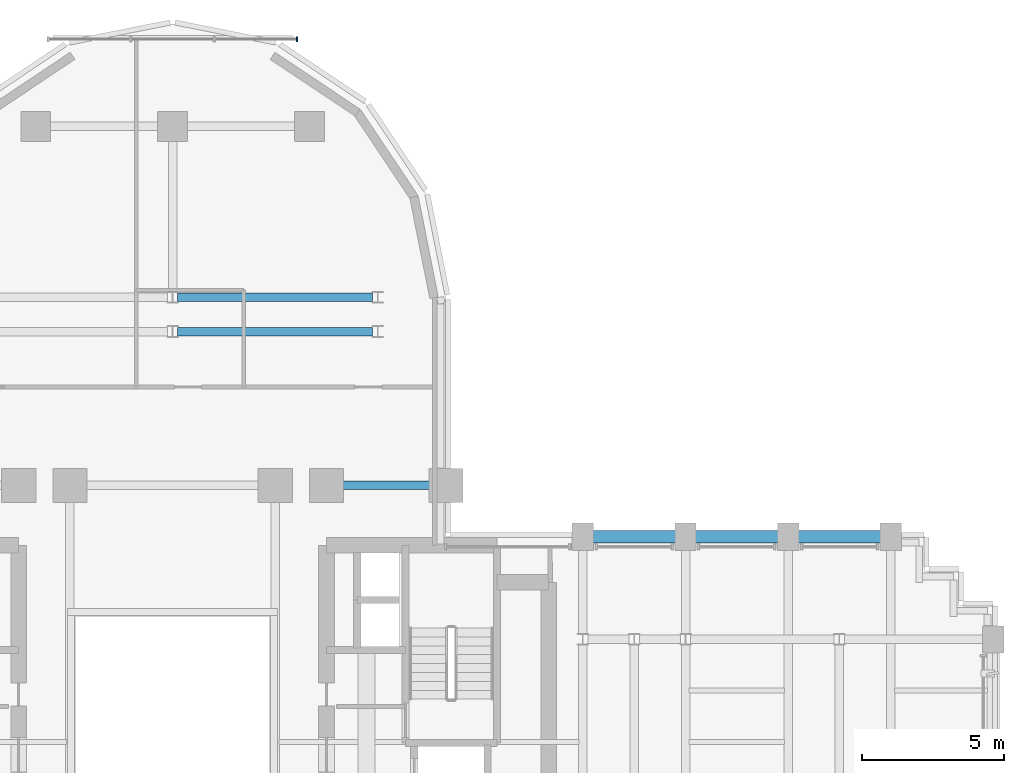
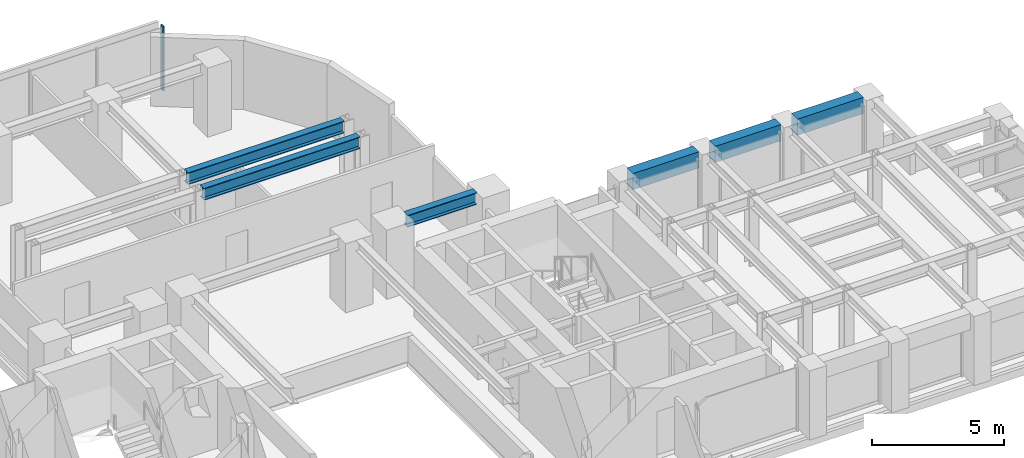
# One storey, part 8 of 16: 6 beams, 1 member, 1 element without a shape of its own.
"""IFC4 building model written with IfcOpenShell, lengths in metres."""

import ifcopenshell
import ifcopenshell.guid

model = None  # the IFC model being written
_history = None  # IfcOwnerHistory: only IFC2X3 demands one
_inside = {}  # id of a spatial element -> (the spatial element, [elements in it])
_under = {}  # id of a project, library or spatial element -> (it, [spatial elements below it])
_declared = {}  # id of a project -> (the project, [libraries it declares])
_typed = {}  # id of a type object -> (the type object, [elements of that type])
_made_of = {}  # id of a material, layer set ... -> (it, [elements and type objects made of it])


def new_model(schema):
    """Start an empty IFC model of exactly this schema.

    Asked for "IFC4X3", IfcOpenShell would pick the latest addendum, in which some entities
    have other attributes; the version numbers below select the first issue.
    IFC2X3 requires an IfcOwnerHistory on every rooted entity: one is made here for all.
    """
    global model, _history
    if schema == "IFC4X3":
        model = ifcopenshell.file(schema_version=(4, 3, 0, 0))
    else:
        model = ifcopenshell.file(schema=schema)
    _inside.clear()
    _under.clear()
    _declared.clear()
    _typed.clear()
    _made_of.clear()
    _history = None
    if model.schema == "IFC2X3":
        org = make("IfcOrganization", Name="unknown")
        user = make(
            "IfcPersonAndOrganization",
            ThePerson=make("IfcPerson", FamilyName="unknown"),
            TheOrganization=org,
        )
        app = make(
            "IfcApplication",
            ApplicationDeveloper=org,
            Version="unknown",
            ApplicationFullName="unknown",
            ApplicationIdentifier="unknown",
        )
        _history = make(
            "IfcOwnerHistory",
            OwningUser=user,
            OwningApplication=app,
            ChangeAction="ADDED",
            CreationDate=0,
        )
    return model


def make(cls, **values):
    """One entity of the class cls with the attributes given. An attribute that is None is left unset."""
    return model.create_entity(
        cls, **{name: value for name, value in values.items() if value is not None}
    )


def rooted(cls, **values):
    """An entity with a GlobalId (a new one), such as an element, a storey or a relation."""
    return make(cls, GlobalId=ifcopenshell.guid.new(), OwnerHistory=_history, **values)


def si_unit(unit_type, name, prefix=None):
    """IfcSIUnit, for example si_unit("LENGTHUNIT", "METRE", prefix="MILLI")."""
    return make("IfcSIUnit", UnitType=unit_type, Prefix=prefix, Name=name)


def assignment(units):
    """IfcUnitAssignment: the units of a project."""
    return None if units is None else make("IfcUnitAssignment", Units=units)


def point(xyz):
    """IfcCartesianPoint."""
    return None if xyz is None else make("IfcCartesianPoint", Coordinates=xyz)


def direction(xyz):
    """IfcDirection."""
    return None if xyz is None else make("IfcDirection", DirectionRatios=xyz)


def frame(location, z_axis=None, x_axis=None):
    """IfcAxis2Placement3D, a coordinate frame: its origin and axes. An axis left out is left unset."""
    return make(
        "IfcAxis2Placement3D",
        Location=point(location),
        Axis=direction(z_axis),
        RefDirection=direction(x_axis),
    )


def frame_2d(location, x_axis=None):
    """IfcAxis2Placement2D, a coordinate frame in the plane: its origin and x axis."""
    return make(
        "IfcAxis2Placement2D", Location=point(location), RefDirection=direction(x_axis)
    )


def origin():
    """The frame at (0, 0, 0) with its axes left unset."""
    return frame((0.0, 0.0, 0.0))


def origin_2d():
    """The frame at (0, 0) in the plane with its x axis left unset."""
    return frame_2d((0.0, 0.0))


def place(relative_to, where):
    """IfcLocalPlacement: puts the frame where relative to a parent placement (None: the world)."""
    return make(
        "IfcLocalPlacement", PlacementRelTo=relative_to, RelativePlacement=where
    )


def context(
    kind, dimensions, precision=None, world=None, true_north=None, identifier=None
):
    """IfcGeometricRepresentationContext, for example the 3D "Model" context."""
    return make(
        "IfcGeometricRepresentationContext",
        ContextIdentifier=identifier,
        ContextType=kind,
        CoordinateSpaceDimension=dimensions,
        Precision=precision,
        WorldCoordinateSystem=world,
        TrueNorth=true_north,
    )


def subcontext(parent, identifier, kind, view, scale=None):
    """IfcGeometricRepresentationSubContext, for example "Body" below "Model"."""
    return make(
        "IfcGeometricRepresentationSubContext",
        ContextIdentifier=identifier,
        ContextType=kind,
        ParentContext=parent,
        TargetScale=scale,
        TargetView=view,
    )


def project(units=None, contexts=None):
    """IfcProject with its units and contexts."""
    return rooted(
        "IfcProject",
        Name="project",
        RepresentationContexts=contexts,
        UnitsInContext=assignment(units),
    )


def spatial(cls, under=None, at=None, **own):
    """A site, building, storey or space (cls), placed at a placement, below another one or the project."""
    s = rooted(cls, ObjectPlacement=at, **own)
    if under is not None:
        _under.setdefault(under.id(), (under, []))[1].append(s)
    return s


def profile(cls, at=None, kind="AREA", **sizes):
    """A parametric profile (cls). Its sizes go by their IFC names, for example OverallWidth=200.0."""
    return make(cls, ProfileType=kind, Position=at, **sizes)


def rectangle(**sizes):
    """IfcRectangleProfileDef."""
    return profile("IfcRectangleProfileDef", **sizes)


def i_section(**sizes):
    """IfcIShapeProfileDef."""
    return profile("IfcIShapeProfileDef", **sizes)


def extrude(swept, where, along, depth):
    """IfcExtrudedAreaSolid: the profile swept, set in the frame where, extruded along a direction by depth."""
    return make(
        "IfcExtrudedAreaSolid",
        SweptArea=swept,
        Position=where,
        ExtrudedDirection=direction(along),
        Depth=depth,
    )


def shape(context_of_items, identifier, shape_type, items):
    """IfcShapeRepresentation: the items that make up one representation, for example the "Body"."""
    return make(
        "IfcShapeRepresentation",
        ContextOfItems=context_of_items,
        RepresentationIdentifier=identifier,
        RepresentationType=shape_type,
        Items=items,
    )


def source(mapping_origin, context_of_items, identifier, shape_type, items):
    """IfcRepresentationMap: a shape defined once, which mapped items show again and again."""
    return make(
        "IfcRepresentationMap",
        MappingOrigin=mapping_origin,
        MappedRepresentation=shape(context_of_items, identifier, shape_type, items),
    )


def transform(
    local_origin,
    x_axis=None,
    y_axis=None,
    z_axis=None,
    scale=None,
    scale2=None,
    scale3=None,
    uniform=True,
):
    """IfcCartesianTransformationOperator3D, or its non-uniform kind. x_axis, y_axis, z_axis: its Axis1, 2, 3."""
    if uniform:
        return make(
            "IfcCartesianTransformationOperator3D",
            Axis1=direction(x_axis),
            Axis2=direction(y_axis),
            LocalOrigin=point(local_origin),
            Scale=scale,
            Axis3=direction(z_axis),
        )
    return make(
        "IfcCartesianTransformationOperator3DnonUniform",
        Axis1=direction(x_axis),
        Axis2=direction(y_axis),
        LocalOrigin=point(local_origin),
        Scale=scale,
        Axis3=direction(z_axis),
        Scale2=scale2,
        Scale3=scale3,
    )


def mapped(mapping_source, mapping_target):
    """IfcMappedItem: shows the shape of a source again, moved by a transform."""
    return make(
        "IfcMappedItem", MappingSource=mapping_source, MappingTarget=mapping_target
    )


def material(Name=None, Category=None):
    """IfcMaterial."""
    return make("IfcMaterial", Name=Name, Category=Category)


def material_profile(
    of_material, cross_section, Name=None, Category=None, Priority=None
):
    """IfcMaterialProfile: a cross section and its material."""
    return make(
        "IfcMaterialProfile",
        Name=Name,
        Material=of_material,
        Profile=cross_section,
        Priority=Priority,
        Category=Category,
    )


def profile_set(profiles, Name=None, composite=None):
    """IfcMaterialProfileSet."""
    return make(
        "IfcMaterialProfileSet",
        Name=Name,
        MaterialProfiles=profiles,
        CompositeProfile=composite,
    )


def made_of(thing, what):
    """Note that an element or type object is made of a material, layer set ...; save() writes the relation."""
    if what is not None:
        _made_of.setdefault(what.id(), (what, []))[1].append(thing)
    return thing


def type_object(cls, material=None, **own):
    """A type object (cls), such as IfcWallType, which elements share."""
    return made_of(rooted(cls, **own), material)


def element(
    cls,
    number,
    at=None,
    inside=None,
    cuts=None,
    type_object=None,
    material=None,
    context=None,
    identifier="Body",
    shape_type=None,
    held_by="IfcProductDefinitionShape",
    body=None,
    shapes=None,
    **own,
):
    """One element of the class cls, such as IfcWall. Its Tag is "e" and its number.

    at: its placement. inside: the storey or other place that contains it. cuts: it is an
    opening in that element (IfcRelVoidsElement). A single representation is given by context,
    identifier, shape_type and body (its items); several are given by shapes. held_by: the class
    of the entity that holds the representations. save() writes the other relations.
    """
    e = rooted(cls, Tag="e%d" % number, ObjectPlacement=at, **own)
    if body is not None:
        shapes = [shape(context, identifier, shape_type, body)]
    if shapes is not None:
        e.Representation = make(held_by, Representations=shapes)
    if inside is not None:
        _inside.setdefault(inside.id(), (inside, []))[1].append(e)
    if cuts is not None:
        rooted(
            "IfcRelVoidsElement", RelatingBuildingElement=cuts, RelatedOpeningElement=e
        )
    if type_object is not None:
        _typed.setdefault(type_object.id(), (type_object, []))[1].append(e)
    return made_of(e, material)


def aggregate(whole, parts):
    """IfcRelAggregates: a whole, such as a stair, and the parts it consists of."""
    return rooted("IfcRelAggregates", RelatingObject=whole, RelatedObjects=parts)


def save(model, path):
    """Write the relations noted so far, then the file.

    IfcRelAggregates (storeys below a building ...), IfcRelContainedInSpatialStructure (elements
    in a storey), IfcRelDefinesByType, IfcRelAssociatesMaterial and IfcRelDeclares: one each for
    every whole, place, type object, material and project.
    """
    for whole, parts in _under.values():
        aggregate(whole, parts)
    for where, things in _inside.values():
        rooted(
            "IfcRelContainedInSpatialStructure",
            RelatedElements=things,
            RelatingStructure=where,
        )
    for kind, things in _typed.values():
        rooted("IfcRelDefinesByType", RelatedObjects=things, RelatingType=kind)
    for what, things in _made_of.values():
        rooted("IfcRelAssociatesMaterial", RelatedObjects=things, RelatingMaterial=what)
    for by, libraries in _declared.values():
        rooted("IfcRelDeclares", RelatingContext=by, RelatedDefinitions=libraries)
    model.write(path)


model = new_model("IFC4")

# Units and contexts
model_context = context("Model", 3, precision=1e-05, world=origin(), true_north=direction((0.0, 1.0)))
body_context = subcontext(model_context, "Body", "Model", "MODEL_VIEW")
ifc_project = project(units=[si_unit("LENGTHUNIT", "METRE"), si_unit("AREAUNIT", "SQUARE_METRE"), si_unit("VOLUMEUNIT", "CUBIC_METRE"), si_unit("PLANEANGLEUNIT", "RADIAN"), si_unit("MASSUNIT", "GRAM", prefix="KILO")], contexts=[model_context])

# Site, building, storey
site_placement = place(None, origin())
site = spatial("IfcSite", under=ifc_project, at=site_placement, CompositionType="ELEMENT")
building_placement = place(site_placement, origin())
building = spatial("IfcBuilding", under=site, at=building_placement, Name="Keilestroom Media Tower", CompositionType="ELEMENT")
storey_placement = place(building_placement, frame((0.0, 0.0, 78.199951171875)))
storey = spatial("IfcBuildingStorey", under=building, at=storey_placement, Name="L20", CompositionType="ELEMENT", Elevation=78.199951171875)

# Beams
ifc_material_1 = material(Name="Steel S355", Category="steel")
ifc_material_profile_1 = material_profile(ifc_material_1, i_section(OverallWidth=0.300048828125, OverallDepth=0.550048828125, WebThickness=0.012939453125, FlangeThickness=0.029052734375, at=origin_2d()), Name="HEB 550")
ifc_profile_set_1 = profile_set([ifc_material_profile_1], Name="Steel S355")
beam_type_1 = type_object("IfcBeamType", Name="Primary-Structural-Girder-HEB-550", PredefinedType="BEAM", material=ifc_profile_set_1)
shared_shape_1 = source(origin(), body_context, "Body", "SweptSolid", [
    extrude(i_section(OverallWidth=0.300048828125, OverallDepth=0.550048828125, WebThickness=0.012939453125, FlangeThickness=0.029052734375, at=origin_2d()), origin(), (0.0, 0.0, 1.0), 6.836181640625),
])
for number, where, z_axis, x_axis, name in (
    (1, (0.181884765625, 14.39990234375, 2.925048828125), (1.0, 0.0, 0.0), (0.0, 1.0, 0.0), "L20 Beam BG-5 BM-L20-EW-046"),
    (2, (0.181884765625, 15.60009765625, 2.925048828125), (1.0, 0.0, 0.0), (0.0, 1.0, 0.0), "L20 Beam BG-5 BM-L20-EW-048"),
):
    element("IfcBeam", number, at=place(storey_placement, frame(where, z_axis=z_axis, x_axis=x_axis)), inside=storey, type_object=beam_type_1, Name=name, PredefinedType="BEAM", context=body_context, shape_type="MappedRepresentation", body=[
        mapped(shared_shape_1, transform((0.0, 0.0, 0.0), x_axis=(1.0, 0.0, 0.0), y_axis=(0.0, 1.0, 0.0), z_axis=(0.0, 0.0, 1.0), scale=1.0)),
    ])
shared_shape_2 = source(origin(), body_context, "Body", "SweptSolid", [
    extrude(i_section(OverallWidth=0.300048828125, OverallDepth=0.550048828125, WebThickness=0.012939453125, FlangeThickness=0.029052734375, at=origin_2d()), origin(), (0.0, 0.0, 1.0), 3.0400390625),
])
beam_1_placement = place(storey_placement, frame((5.97998046875, 9.0, 2.925048828125), z_axis=(1.0, 0.0, 0.0), x_axis=(0.0, 1.0, 0.0)))
element("IfcBeam", 3, at=beam_1_placement, inside=storey, type_object=beam_type_1, Name="L20 Beam BG-5 BM-L20-EW-044", PredefinedType="BEAM", context=body_context, shape_type="MappedRepresentation", body=[
    mapped(shared_shape_2, transform((0.0, 0.0, 0.0), x_axis=(1.0, 0.0, 0.0), y_axis=(0.0, 1.0, 0.0), z_axis=(0.0, 0.0, 1.0), scale=1.0)),
])
ifc_material_2 = material(Name="Precast concrete C40/50", Category="concrete")
ifc_material_profile_2 = material_profile(ifc_material_2, rectangle(XDim=0.449951171875, YDim=0.75, at=origin_2d()), Name="PC 450x750")
ifc_profile_set_2 = profile_set([ifc_material_profile_2], Name="Precast concrete C40/50")
beam_type_2 = type_object("IfcBeamType", Name="Perimeter-Spandrel-Beam-PC-450x750", PredefinedType="SPANDREL", material=ifc_profile_set_2)
shared_shape_3 = source(origin(), body_context, "Body", "SweptSolid", [
    extrude(rectangle(XDim=0.449951171875, YDim=0.75, at=origin_2d()), origin(), (0.0, 0.0, 1.0), 2.889892578125),
])
beam_2_placement = place(storey_placement, frame((21.955078125, 7.199951171875, 2.824951171875), z_axis=(1.0, 0.0, 0.0), x_axis=(0.0, 1.0, 0.0)))
element("IfcBeam", 4, at=beam_2_placement, inside=storey, type_object=beam_type_2, Name="L20 Beam SPB-1 BM-L20-EW-039", PredefinedType="SPANDREL", context=body_context, shape_type="MappedRepresentation", body=[
    mapped(shared_shape_3, transform((0.0, 0.0, 0.0), x_axis=(1.0, 0.0, 0.0), y_axis=(0.0, 1.0, 0.0), z_axis=(0.0, 0.0, 1.0), scale=1.0)),
])
shared_shape_4 = source(origin(), body_context, "Body", "SweptSolid", [
    extrude(rectangle(XDim=0.449951171875, YDim=0.75, at=origin_2d()), origin(), (0.0, 0.0, 1.0), 2.89013671875),
])
for number, where, z_axis, x_axis, name in (
    (5, (14.7548828125, 7.199951171875, 2.824951171875), (1.0, 0.0, 0.0), (0.0, 1.0, 0.0), "L20 Beam SPB-1 BM-L20-EW-037"),
    (6, (18.35498046875, 7.199951171875, 2.824951171875), (1.0, 0.0, 0.0), (0.0, 1.0, 0.0), "L20 Beam SPB-1 BM-L20-EW-038"),
):
    element("IfcBeam", number, at=place(storey_placement, frame(where, z_axis=z_axis, x_axis=x_axis)), inside=storey, type_object=beam_type_2, Name=name, PredefinedType="SPANDREL", context=body_context, shape_type="MappedRepresentation", body=[
        mapped(shared_shape_4, transform((0.0, 0.0, 0.0), x_axis=(1.0, 0.0, 0.0), y_axis=(0.0, 1.0, 0.0), z_axis=(0.0, 0.0, 1.0), scale=1.0)),
    ])

# Curtain wall, member
ifc_material_3 = material(Name="Anodised Aluminium Alloy", Category="aluminium")
curtain_wall_type = type_object("IfcCurtainWallType", Name="Unitised-Curtain-Wall-CW-6", PredefinedType="NOTDEFINED", material=ifc_material_3)
curtain_wall_placement = place(storey_placement, origin())
curtain_wall = element("IfcCurtainWall", 7, at=curtain_wall_placement, inside=storey, type_object=curtain_wall_type, Name="L20 Curtain Wall CW-6 CW-L20-LN-1", PredefinedType="NOTDEFINED")
ifc_material_profile_3 = material_profile(ifc_material_3, rectangle(XDim=0.06494140625, YDim=0.179931640625, at=origin_2d()), Name="ALU MULLION 65x180")
ifc_profile_set_3 = profile_set([ifc_material_profile_3], Name="Anodised Aluminium Alloy")
member_type = type_object("IfcMemberType", Name="Curtain-Wall-Mullion-CW-6", PredefinedType="MULLION", material=ifc_profile_set_3)
shared_shape_5 = source(origin(), body_context, "Body", "SweptSolid", [
    extrude(rectangle(XDim=0.06494140625, YDim=0.179931640625, at=origin_2d()), origin(), (0.0, 0.0, 1.0), 2.97998046875),
])
member_placement = place(storey_placement, frame((4.367431640625, 24.64990234375, 0.0), z_axis=(0.0, 0.0, 1.0), x_axis=(1.0, 0.0, 0.0)))
member = element("IfcMember", 8, at=member_placement, type_object=member_type, Name="CW-6 Mullion 03", PredefinedType="MULLION", context=body_context, shape_type="MappedRepresentation", body=[
    mapped(shared_shape_5, transform((0.0, 0.0, 0.0), x_axis=(1.0, 0.0, 0.0), y_axis=(0.0, 1.0, 0.0), z_axis=(0.0, 0.0, 1.0), scale=1.0)),
])
aggregate(curtain_wall, [member])

save(model, "model.ifc")
